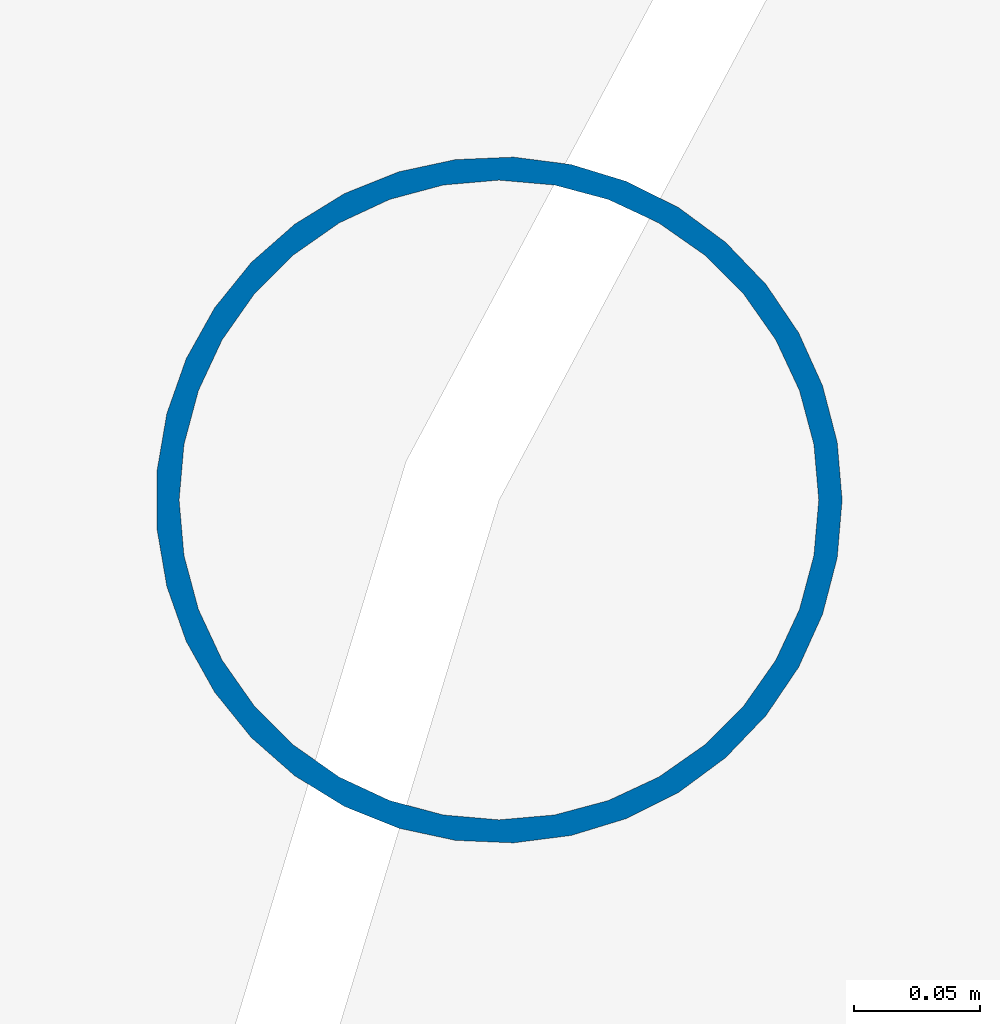
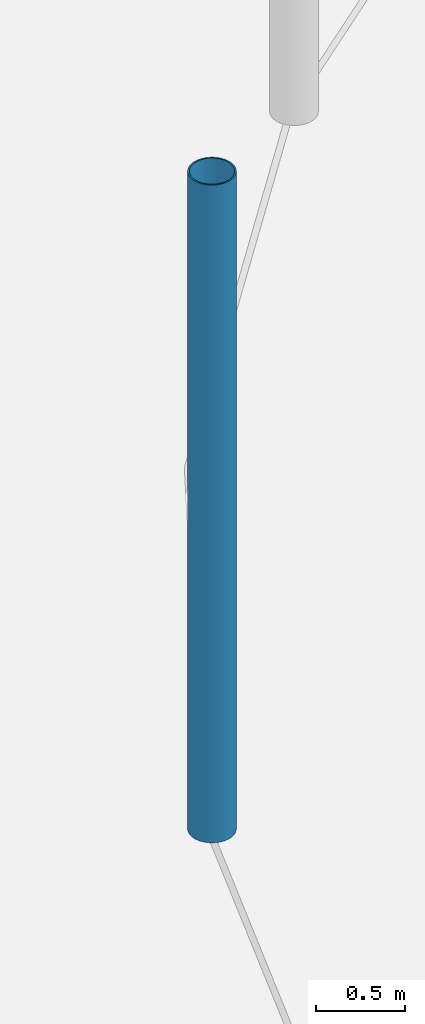
# One storey, part 6 of 119: 1 column.
"""IFC4 building model written with IfcOpenShell, lengths in metres."""

from ifc_helpers import new_model, si_unit, derived_unit, direction, frame, origin, origin_2d_with_axis, place, context, subcontext, project, spatial, hollow_circle, extrude, material, material_profile, profile_set, type_object, element, save


model = new_model("IFC4")

# Units and contexts
model_context = context("Model", 3, precision=1e-05, world=origin(), true_north=direction((0.0, 1.0)))
body_context = subcontext(model_context, "Body", "Model", "MODEL_VIEW")
ifc_project = project(units=[si_unit("LENGTHUNIT", "METRE"), si_unit("AREAUNIT", "SQUARE_METRE"), si_unit("VOLUMEUNIT", "CUBIC_METRE"), si_unit("PLANEANGLEUNIT", "RADIAN"), si_unit("MASSUNIT", "GRAM", prefix="KILO"), derived_unit("THERMALTRANSMITTANCEUNIT", [(si_unit("POWERUNIT", "WATT"), 1), (si_unit("LENGTHUNIT", "METRE"), -2), (si_unit("THERMODYNAMICTEMPERATUREUNIT", "KELVIN"), -1)])], contexts=[model_context])

# Site, building, storey
site_placement = place(None, origin())
site = spatial("IfcSite", under=ifc_project, at=site_placement, CompositionType="ELEMENT")
building_placement = place(site_placement, origin())
building = spatial("IfcBuilding", under=site, at=building_placement, Name="Cinnabar Yard Market Hall", CompositionType="ELEMENT")
storey_placement = place(building_placement, origin())
storey = spatial("IfcBuildingStorey", under=building, at=storey_placement, Name="L00", CompositionType="ELEMENT", Elevation=0.0)

# Column
ifc_material = material(Name="Spotted-gum glulam-clad steel Grade 350 (350 MPa)", Category="steel")
ifc_material_profile = material_profile(ifc_material, hollow_circle(Radius=0.136474609375, WallThickness=0.00927734375, at=origin_2d_with_axis()), Name="273.1x9.3CHS")
ifc_profile_set = profile_set([ifc_material_profile], Name="Spotted-gum glulam-clad steel Grade 350 (350 MPa)")
column_type = type_object("IfcColumnType", Name="COL-C04E", PredefinedType="COLUMN", material=ifc_profile_set)
column_placement = place(storey_placement, frame((67.3701171875, 62.88818359375, 0.0), z_axis=(0.0, 0.0, 1.0), x_axis=(1.0, 0.0, 0.0)))
element("IfcColumn", 1, at=column_placement, inside=storey, type_object=column_type, Name="Tree Column V1C-NW6 L00", PredefinedType="COLUMN", context=body_context, shape_type="SweptSolid", body=[
    extrude(hollow_circle(Radius=0.136474609375, WallThickness=0.00927734375, at=origin_2d_with_axis()), origin(), (0.0, 0.0, 1.0), 4.5),
])

save(model, "model.ifc")
